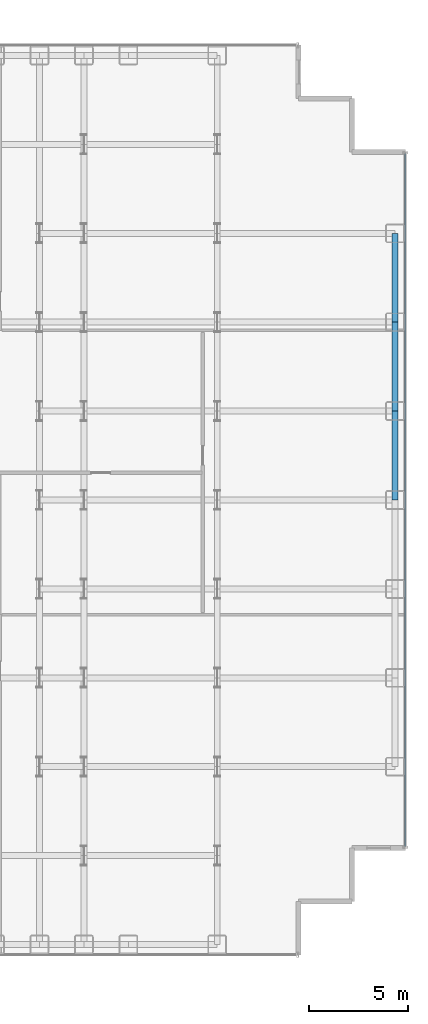
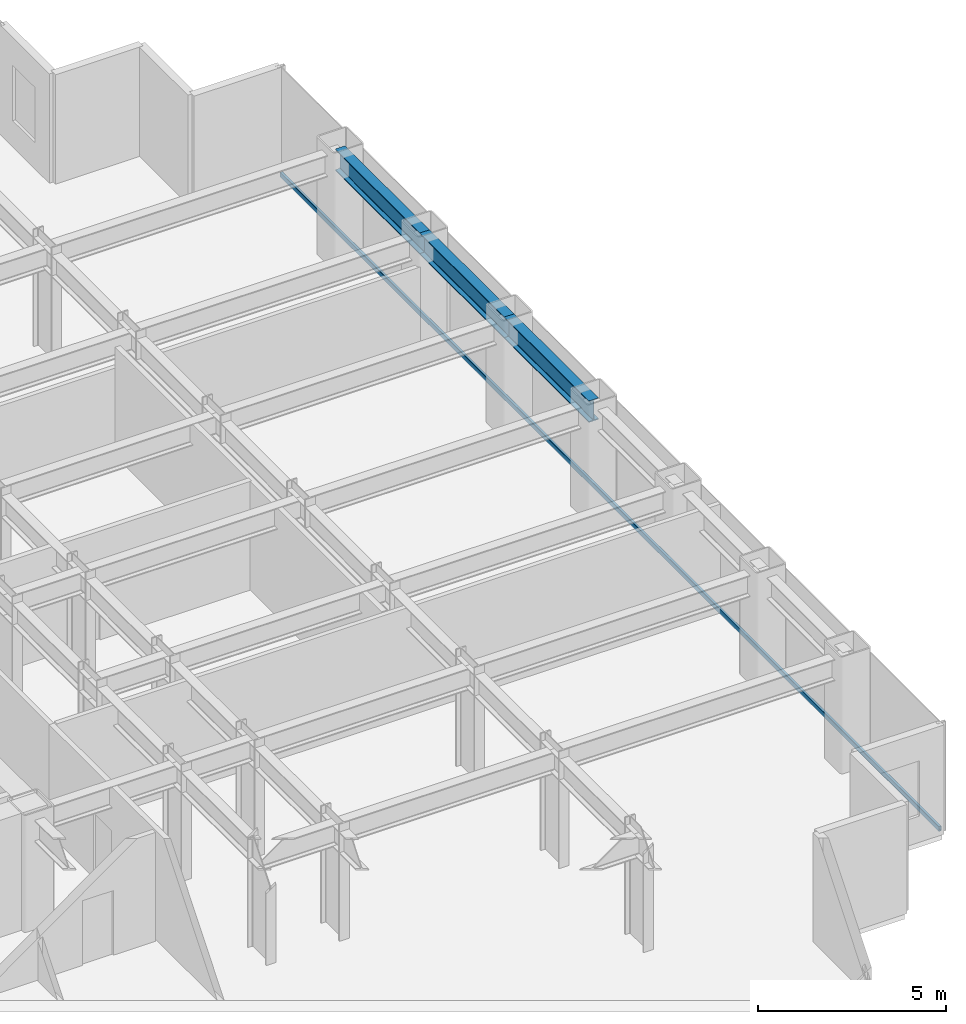
# One storey, part 17 of 25: 3 beams, 1 member, 1 element without a shape of its own.
"""IFC4 building model written with IfcOpenShell, lengths in metres."""

from ifc_helpers import new_model, si_unit, direction, frame, origin, origin_2d, place, context, subcontext, project, spatial, hollow_rectangle, i_section, extrude, source, transform, mapped, material, layer, layer_set, material_profile, profile_set, type_object, element, aggregate, save


model = new_model("IFC4")

# Units and contexts
model_context = context("Model", 3, precision=1e-05, world=origin(), true_north=direction((0.0, 1.0)))
body_context = subcontext(model_context, "Body", "Model", "MODEL_VIEW")
ifc_project = project(units=[si_unit("LENGTHUNIT", "METRE"), si_unit("AREAUNIT", "SQUARE_METRE"), si_unit("VOLUMEUNIT", "CUBIC_METRE"), si_unit("PLANEANGLEUNIT", "RADIAN"), si_unit("MASSUNIT", "GRAM", prefix="KILO")], contexts=[model_context])

# Site, building, storey
site_placement = place(None, origin())
site = spatial("IfcSite", under=ifc_project, at=site_placement, CompositionType="ELEMENT")
building_placement = place(site_placement, origin())
building = spatial("IfcBuilding", under=site, at=building_placement, Name="Nefas-Gora Pilgrimage Tower", CompositionType="ELEMENT")
storey_placement = place(building_placement, frame((0.0, 0.0, 74.800048828125)))
storey = spatial("IfcBuildingStorey", under=building, at=storey_placement, Name="L17", CompositionType="ELEMENT", Elevation=74.800048828125)

# Beams
ifc_material_1 = material(Name="Steel S355", Category="steel")
ifc_material_profile_1 = material_profile(ifc_material_1, i_section(OverallWidth=0.300048828125, OverallDepth=0.699951171875, WebThickness=0.01708984375, FlangeThickness=0.031982421875, FilletRadius=0.027099609375, at=origin_2d()), Name="HEB 700")
ifc_profile_set_1 = profile_set([ifc_material_profile_1], Name="Steel S355")
beam_type = type_object("IfcBeamType", Name="BM-SPN-HEB600", PredefinedType="SPANDREL", material=ifc_profile_set_1)
shared_shape_1 = source(origin(), body_context, "Body", "SweptSolid", [
    extrude(i_section(OverallWidth=0.300048828125, OverallDepth=0.699951171875, WebThickness=0.01708984375, FlangeThickness=0.031982421875, FilletRadius=0.027099609375, at=origin_2d()), origin(), (0.0, 0.0, 1.0), 4.5),
])
for number, where, z_axis, x_axis, name in (
    (1, (33.75, 0.0, 3.199951171875), (0.0, 1.0, 0.0), (-1.0, 0.0, 0.0), "L17 SP-01 beam"),
    (2, (33.75, 4.5, 3.199951171875), (0.0, 1.0, 0.0), (-1.0, 0.0, 0.0), "L17 SP-01 beam"),
    (3, (33.75, 9.0, 3.199951171875), (0.0, 1.0, 0.0), (-1.0, 0.0, 0.0), "L17 SP-01 beam"),
):
    element("IfcBeam", number, at=place(storey_placement, frame(where, z_axis=z_axis, x_axis=x_axis)), inside=storey, type_object=beam_type, Name=name, PredefinedType="SPANDREL", context=body_context, shape_type="MappedRepresentation", body=[
        mapped(shared_shape_1, transform((0.0, 0.0, 0.0), x_axis=(1.0, 0.0, 0.0), y_axis=(0.0, 1.0, 0.0), z_axis=(0.0, 0.0, 1.0), scale=1.0)),
    ])

# Curtain wall, member
ifc_material_2 = material(Name="Dark ceramic-fritted solar-control aluminium-glass curtain wall", Category="aluminium")
ifc_layer = layer(ifc_material_2, 0.219970703125)
ifc_layer_set = layer_set([ifc_layer], Name="Dark ceramic-fritted solar-control aluminium-glass curtain wall")
curtain_wall_type = type_object("IfcCurtainWallType", Name="CW-SYS-2", PredefinedType="NOTDEFINED", material=ifc_layer_set)
curtain_wall_placement = place(storey_placement, origin())
curtain_wall = element("IfcCurtainWall", 4, at=curtain_wall_placement, inside=storey, type_object=curtain_wall_type, Name="L17 Unitised Curtain Wall CW2", PredefinedType="NOTDEFINED")
ifc_material_3 = material(Name="Anodised architectural aluminium", Category="aluminium")
ifc_material_profile_2 = material_profile(ifc_material_3, hollow_rectangle(XDim=0.080078125, YDim=0.159912109375, WallThickness=0.00439453125, InnerFilletRadius=0.00439453125, OuterFilletRadius=0.009033203125, at=origin_2d()), Name="ALU TRANSOM 80x160")
ifc_profile_set_2 = profile_set([ifc_material_profile_2], Name="Anodised architectural aluminium")
member_type = type_object("IfcMemberType", Name="CWM-TRN-2", PredefinedType="USERDEFINED", material=ifc_profile_set_2)
shared_shape_2 = source(origin(), body_context, "Body", "SweptSolid", [
    extrude(hollow_rectangle(XDim=0.080078125, YDim=0.159912109375, WallThickness=0.00439453125, InnerFilletRadius=0.00439453125, OuterFilletRadius=0.009033203125, at=origin_2d()), origin(), (0.0, 0.0, 1.0), 35.06005859375),
])
member_placement = place(storey_placement, frame((34.27001953125, -17.530029296875, 0.050048828125), z_axis=(0.0, 1.0, 0.0), x_axis=(-1.0, 0.0, 0.0)))
member = element("IfcMember", 5, at=member_placement, type_object=member_type, Name="CW2 Spandrel Transom", ObjectType="TRANSOM", PredefinedType="USERDEFINED", context=body_context, shape_type="MappedRepresentation", body=[
    mapped(shared_shape_2, transform((0.0, 0.0, 0.0), x_axis=(1.0, 0.0, 0.0), y_axis=(0.0, 1.0, 0.0), z_axis=(0.0, 0.0, 1.0), scale=1.0)),
])
aggregate(curtain_wall, [member])

save(model, "model.ifc")
